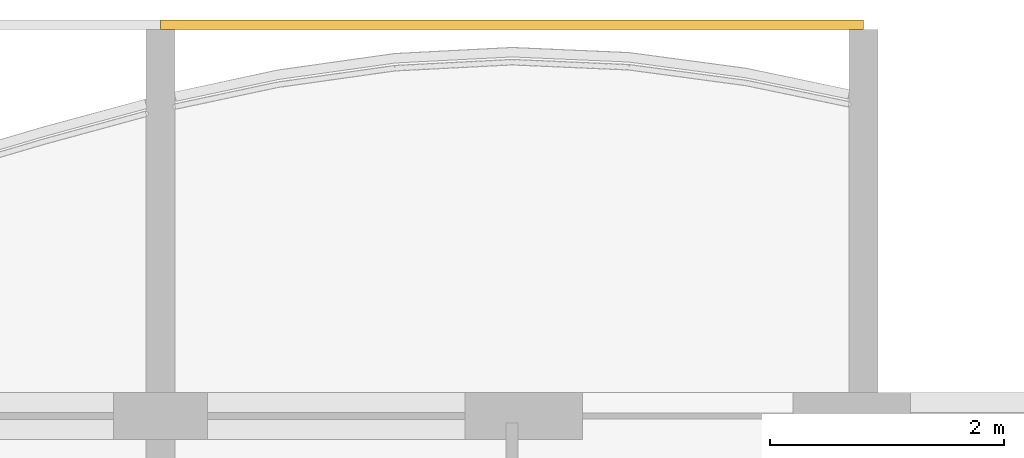
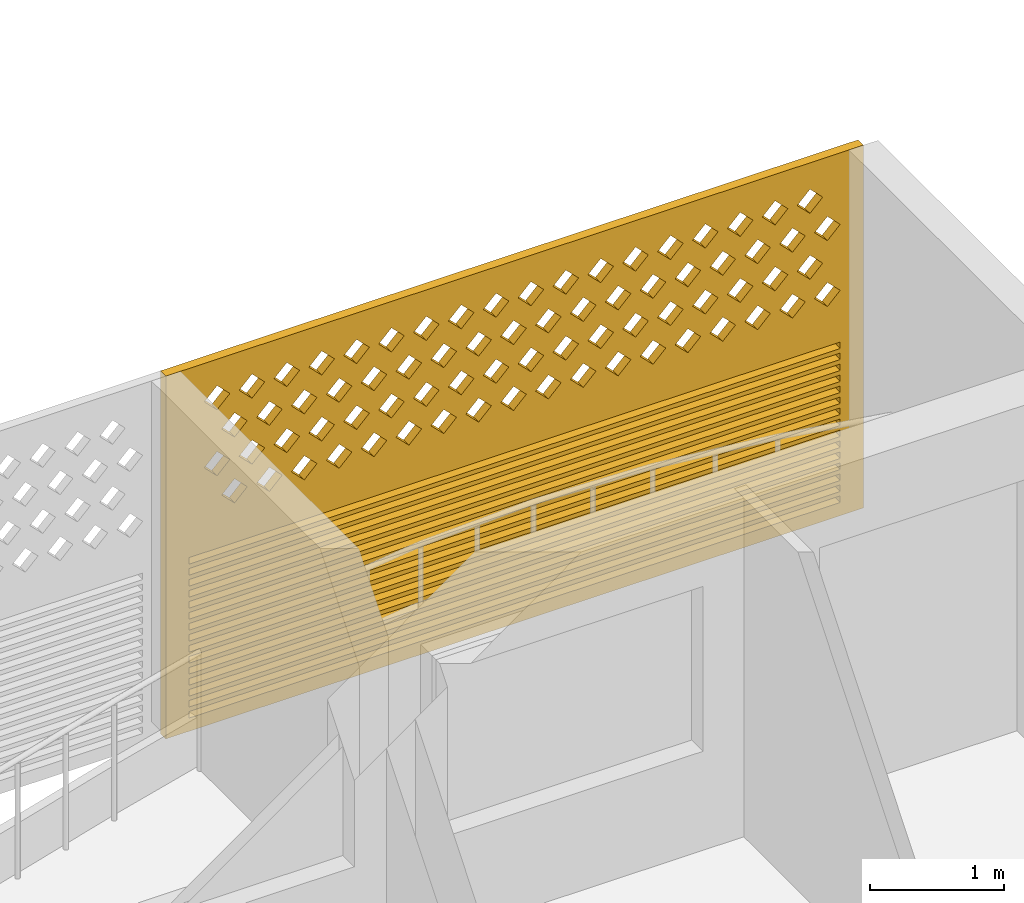
# One storey, part 18 of 28: 1 covering.
"""IFC4 building model written with IfcOpenShell, lengths in metres."""

import ifcopenshell
import ifcopenshell.guid

model = None  # the IFC model being written
_history = None  # IfcOwnerHistory: only IFC2X3 demands one
_inside = {}  # id of a spatial element -> (the spatial element, [elements in it])
_under = {}  # id of a project, library or spatial element -> (it, [spatial elements below it])
_declared = {}  # id of a project -> (the project, [libraries it declares])
_typed = {}  # id of a type object -> (the type object, [elements of that type])
_made_of = {}  # id of a material, layer set ... -> (it, [elements and type objects made of it])


def new_model(schema):
    """Start an empty IFC model of exactly this schema.

    Asked for "IFC4X3", IfcOpenShell would pick the latest addendum, in which some entities
    have other attributes; the version numbers below select the first issue.
    IFC2X3 requires an IfcOwnerHistory on every rooted entity: one is made here for all.
    """
    global model, _history
    if schema == "IFC4X3":
        model = ifcopenshell.file(schema_version=(4, 3, 0, 0))
    else:
        model = ifcopenshell.file(schema=schema)
    _inside.clear()
    _under.clear()
    _declared.clear()
    _typed.clear()
    _made_of.clear()
    _history = None
    if model.schema == "IFC2X3":
        org = make("IfcOrganization", Name="unknown")
        user = make(
            "IfcPersonAndOrganization",
            ThePerson=make("IfcPerson", FamilyName="unknown"),
            TheOrganization=org,
        )
        app = make(
            "IfcApplication",
            ApplicationDeveloper=org,
            Version="unknown",
            ApplicationFullName="unknown",
            ApplicationIdentifier="unknown",
        )
        _history = make(
            "IfcOwnerHistory",
            OwningUser=user,
            OwningApplication=app,
            ChangeAction="ADDED",
            CreationDate=0,
        )
    return model


def make(cls, **values):
    """One entity of the class cls with the attributes given. An attribute that is None is left unset."""
    return model.create_entity(
        cls, **{name: value for name, value in values.items() if value is not None}
    )


def rooted(cls, **values):
    """An entity with a GlobalId (a new one), such as an element, a storey or a relation."""
    return make(cls, GlobalId=ifcopenshell.guid.new(), OwnerHistory=_history, **values)


def si_unit(unit_type, name, prefix=None):
    """IfcSIUnit, for example si_unit("LENGTHUNIT", "METRE", prefix="MILLI")."""
    return make("IfcSIUnit", UnitType=unit_type, Prefix=prefix, Name=name)


def assignment(units):
    """IfcUnitAssignment: the units of a project."""
    return None if units is None else make("IfcUnitAssignment", Units=units)


def point(xyz):
    """IfcCartesianPoint."""
    return None if xyz is None else make("IfcCartesianPoint", Coordinates=xyz)


def direction(xyz):
    """IfcDirection."""
    return None if xyz is None else make("IfcDirection", DirectionRatios=xyz)


def frame(location, z_axis=None, x_axis=None):
    """IfcAxis2Placement3D, a coordinate frame: its origin and axes. An axis left out is left unset."""
    return make(
        "IfcAxis2Placement3D",
        Location=point(location),
        Axis=direction(z_axis),
        RefDirection=direction(x_axis),
    )


def origin():
    """The frame at (0, 0, 0) with its axes left unset."""
    return frame((0.0, 0.0, 0.0))


def place(relative_to, where):
    """IfcLocalPlacement: puts the frame where relative to a parent placement (None: the world)."""
    return make(
        "IfcLocalPlacement", PlacementRelTo=relative_to, RelativePlacement=where
    )


def context(
    kind, dimensions, precision=None, world=None, true_north=None, identifier=None
):
    """IfcGeometricRepresentationContext, for example the 3D "Model" context."""
    return make(
        "IfcGeometricRepresentationContext",
        ContextIdentifier=identifier,
        ContextType=kind,
        CoordinateSpaceDimension=dimensions,
        Precision=precision,
        WorldCoordinateSystem=world,
        TrueNorth=true_north,
    )


def subcontext(parent, identifier, kind, view, scale=None):
    """IfcGeometricRepresentationSubContext, for example "Body" below "Model"."""
    return make(
        "IfcGeometricRepresentationSubContext",
        ContextIdentifier=identifier,
        ContextType=kind,
        ParentContext=parent,
        TargetScale=scale,
        TargetView=view,
    )


def project(units=None, contexts=None):
    """IfcProject with its units and contexts."""
    return rooted(
        "IfcProject",
        Name="project",
        RepresentationContexts=contexts,
        UnitsInContext=assignment(units),
    )


def spatial(cls, under=None, at=None, **own):
    """A site, building, storey or space (cls), placed at a placement, below another one or the project."""
    s = rooted(cls, ObjectPlacement=at, **own)
    if under is not None:
        _under.setdefault(under.id(), (under, []))[1].append(s)
    return s


def polyline(points):
    """IfcPolyline through the points."""
    return make("IfcPolyline", Points=[point(p) for p in points])


def outline(outer, holes=None, kind="AREA"):
    """IfcArbitraryClosedProfileDef: a profile drawn as a closed curve; with holes, ...WithVoids."""
    if holes is None:
        return make("IfcArbitraryClosedProfileDef", ProfileType=kind, OuterCurve=outer)
    return make(
        "IfcArbitraryProfileDefWithVoids",
        ProfileType=kind,
        OuterCurve=outer,
        InnerCurves=holes,
    )


def extrude(swept, where, along, depth):
    """IfcExtrudedAreaSolid: the profile swept, set in the frame where, extruded along a direction by depth."""
    return make(
        "IfcExtrudedAreaSolid",
        SweptArea=swept,
        Position=where,
        ExtrudedDirection=direction(along),
        Depth=depth,
    )


def shape(context_of_items, identifier, shape_type, items):
    """IfcShapeRepresentation: the items that make up one representation, for example the "Body"."""
    return make(
        "IfcShapeRepresentation",
        ContextOfItems=context_of_items,
        RepresentationIdentifier=identifier,
        RepresentationType=shape_type,
        Items=items,
    )


def source(mapping_origin, context_of_items, identifier, shape_type, items):
    """IfcRepresentationMap: a shape defined once, which mapped items show again and again."""
    return make(
        "IfcRepresentationMap",
        MappingOrigin=mapping_origin,
        MappedRepresentation=shape(context_of_items, identifier, shape_type, items),
    )


def transform(
    local_origin,
    x_axis=None,
    y_axis=None,
    z_axis=None,
    scale=None,
    scale2=None,
    scale3=None,
    uniform=True,
):
    """IfcCartesianTransformationOperator3D, or its non-uniform kind. x_axis, y_axis, z_axis: its Axis1, 2, 3."""
    if uniform:
        return make(
            "IfcCartesianTransformationOperator3D",
            Axis1=direction(x_axis),
            Axis2=direction(y_axis),
            LocalOrigin=point(local_origin),
            Scale=scale,
            Axis3=direction(z_axis),
        )
    return make(
        "IfcCartesianTransformationOperator3DnonUniform",
        Axis1=direction(x_axis),
        Axis2=direction(y_axis),
        LocalOrigin=point(local_origin),
        Scale=scale,
        Axis3=direction(z_axis),
        Scale2=scale2,
        Scale3=scale3,
    )


def mapped(mapping_source, mapping_target):
    """IfcMappedItem: shows the shape of a source again, moved by a transform."""
    return make(
        "IfcMappedItem", MappingSource=mapping_source, MappingTarget=mapping_target
    )


def material(Name=None, Category=None):
    """IfcMaterial."""
    return make("IfcMaterial", Name=Name, Category=Category)


def material_profile(
    of_material, cross_section, Name=None, Category=None, Priority=None
):
    """IfcMaterialProfile: a cross section and its material."""
    return make(
        "IfcMaterialProfile",
        Name=Name,
        Material=of_material,
        Profile=cross_section,
        Priority=Priority,
        Category=Category,
    )


def profile_set(profiles, Name=None, composite=None):
    """IfcMaterialProfileSet."""
    return make(
        "IfcMaterialProfileSet",
        Name=Name,
        MaterialProfiles=profiles,
        CompositeProfile=composite,
    )


def made_of(thing, what):
    """Note that an element or type object is made of a material, layer set ...; save() writes the relation."""
    if what is not None:
        _made_of.setdefault(what.id(), (what, []))[1].append(thing)
    return thing


def type_object(cls, material=None, **own):
    """A type object (cls), such as IfcWallType, which elements share."""
    return made_of(rooted(cls, **own), material)


def element(
    cls,
    number,
    at=None,
    inside=None,
    cuts=None,
    type_object=None,
    material=None,
    context=None,
    identifier="Body",
    shape_type=None,
    held_by="IfcProductDefinitionShape",
    body=None,
    shapes=None,
    **own,
):
    """One element of the class cls, such as IfcWall. Its Tag is "e" and its number.

    at: its placement. inside: the storey or other place that contains it. cuts: it is an
    opening in that element (IfcRelVoidsElement). A single representation is given by context,
    identifier, shape_type and body (its items); several are given by shapes. held_by: the class
    of the entity that holds the representations. save() writes the other relations.
    """
    e = rooted(cls, Tag="e%d" % number, ObjectPlacement=at, **own)
    if body is not None:
        shapes = [shape(context, identifier, shape_type, body)]
    if shapes is not None:
        e.Representation = make(held_by, Representations=shapes)
    if inside is not None:
        _inside.setdefault(inside.id(), (inside, []))[1].append(e)
    if cuts is not None:
        rooted(
            "IfcRelVoidsElement", RelatingBuildingElement=cuts, RelatedOpeningElement=e
        )
    if type_object is not None:
        _typed.setdefault(type_object.id(), (type_object, []))[1].append(e)
    return made_of(e, material)


def aggregate(whole, parts):
    """IfcRelAggregates: a whole, such as a stair, and the parts it consists of."""
    return rooted("IfcRelAggregates", RelatingObject=whole, RelatedObjects=parts)


def save(model, path):
    """Write the relations noted so far, then the file.

    IfcRelAggregates (storeys below a building ...), IfcRelContainedInSpatialStructure (elements
    in a storey), IfcRelDefinesByType, IfcRelAssociatesMaterial and IfcRelDeclares: one each for
    every whole, place, type object, material and project.
    """
    for whole, parts in _under.values():
        aggregate(whole, parts)
    for where, things in _inside.values():
        rooted(
            "IfcRelContainedInSpatialStructure",
            RelatedElements=things,
            RelatingStructure=where,
        )
    for kind, things in _typed.values():
        rooted("IfcRelDefinesByType", RelatedObjects=things, RelatingType=kind)
    for what, things in _made_of.values():
        rooted("IfcRelAssociatesMaterial", RelatedObjects=things, RelatingMaterial=what)
    for by, libraries in _declared.values():
        rooted("IfcRelDeclares", RelatingContext=by, RelatedDefinitions=libraries)
    model.write(path)


model = new_model("IFC4")

# Units and contexts
model_context = context("Model", 3, precision=1e-05, world=origin(), true_north=direction((0.0, 1.0)))
body_context = subcontext(model_context, "Body", "Model", "MODEL_VIEW")
ifc_project = project(units=[si_unit("LENGTHUNIT", "METRE"), si_unit("AREAUNIT", "SQUARE_METRE"), si_unit("VOLUMEUNIT", "CUBIC_METRE"), si_unit("PLANEANGLEUNIT", "RADIAN"), si_unit("MASSUNIT", "GRAM", prefix="KILO")], contexts=[model_context])

# Site, building, storey
site_placement = place(None, origin())
site = spatial("IfcSite", under=ifc_project, at=site_placement, CompositionType="ELEMENT")
building_placement = place(site_placement, origin())
building = spatial("IfcBuilding", under=site, at=building_placement, Name="Poui Terraces", CompositionType="ELEMENT")
storey_placement = place(building_placement, frame((0.0, 0.0, 185.10009765625)))
storey = spatial("IfcBuildingStorey", under=building, at=storey_placement, Name="L51", CompositionType="ELEMENT", Elevation=185.10009765625)

# Covering
ifc_material = material(Name="Terracotta screen", Category="masonry")
ifc_material_profile = material_profile(ifc_material, outline(polyline([(-3.0, -1.64990234375), (3.0, -1.64990234375), (3.0, 1.64990234375), (-3.0, 1.64990234375), (-3.0, -1.64990234375)]), holes=[polyline([(-2.800048828125, 0.39990234375), (-2.68994140625, 0.2900390625), (-2.580078125, 0.39990234375), (-2.68994140625, 0.510009765625), (-2.800048828125, 0.39990234375)]), polyline([(-2.5, 0.39990234375), (-2.389892578125, 0.2900390625), (-2.280029296875, 0.39990234375), (-2.389892578125, 0.510009765625), (-2.5, 0.39990234375)]), polyline([(-2.199951171875, 0.39990234375), (-2.090087890625, 0.2900390625), (-1.97998046875, 0.39990234375), (-2.090087890625, 0.510009765625), (-2.199951171875, 0.39990234375)]), polyline([(-1.89990234375, 0.39990234375), (-1.7900390625, 0.2900390625), (-1.679931640625, 0.39990234375), (-1.7900390625, 0.510009765625), (-1.89990234375, 0.39990234375)]), polyline([(-1.60009765625, 0.39990234375), (-1.489990234375, 0.2900390625), (-1.3798828125, 0.39990234375), (-1.489990234375, 0.510009765625), (-1.60009765625, 0.39990234375)]), polyline([(-1.300048828125, 0.39990234375), (-1.18994140625, 0.2900390625), (-1.080078125, 0.39990234375), (-1.18994140625, 0.510009765625), (-1.300048828125, 0.39990234375)]), polyline([(-1.0, 0.39990234375), (-0.889892578125, 0.2900390625), (-0.780029296875, 0.39990234375), (-0.889892578125, 0.510009765625), (-1.0, 0.39990234375)]), polyline([(-0.699951171875, 0.39990234375), (-0.590087890625, 0.2900390625), (-0.47998046875, 0.39990234375), (-0.590087890625, 0.510009765625), (-0.699951171875, 0.39990234375)]), polyline([(-0.39990234375, 0.39990234375), (-0.2900390625, 0.2900390625), (-0.179931640625, 0.39990234375), (-0.2900390625, 0.510009765625), (-0.39990234375, 0.39990234375)]), polyline([(-0.10009765625, 0.39990234375), (0.010009765625, 0.2900390625), (0.1201171875, 0.39990234375), (0.010009765625, 0.510009765625), (-0.10009765625, 0.39990234375)]), polyline([(0.199951171875, 0.39990234375), (0.31005859375, 0.2900390625), (0.419921875, 0.39990234375), (0.31005859375, 0.510009765625), (0.199951171875, 0.39990234375)]), polyline([(0.5, 0.39990234375), (0.610107421875, 0.2900390625), (0.719970703125, 0.39990234375), (0.610107421875, 0.510009765625), (0.5, 0.39990234375)]), polyline([(0.800048828125, 0.39990234375), (0.909912109375, 0.2900390625), (1.02001953125, 0.39990234375), (0.909912109375, 0.510009765625), (0.800048828125, 0.39990234375)]), polyline([(1.10009765625, 0.39990234375), (1.2099609375, 0.2900390625), (1.320068359375, 0.39990234375), (1.2099609375, 0.510009765625), (1.10009765625, 0.39990234375)]), polyline([(1.39990234375, 0.39990234375), (1.510009765625, 0.2900390625), (1.6201171875, 0.39990234375), (1.510009765625, 0.510009765625), (1.39990234375, 0.39990234375)]), polyline([(1.699951171875, 0.39990234375), (1.81005859375, 0.2900390625), (1.919921875, 0.39990234375), (1.81005859375, 0.510009765625), (1.699951171875, 0.39990234375)]), polyline([(2.0, 0.39990234375), (2.110107421875, 0.2900390625), (2.219970703125, 0.39990234375), (2.110107421875, 0.510009765625), (2.0, 0.39990234375)]), polyline([(2.300048828125, 0.39990234375), (2.409912109375, 0.2900390625), (2.52001953125, 0.39990234375), (2.409912109375, 0.510009765625), (2.300048828125, 0.39990234375)]), polyline([(-2.64990234375, 0.699951171875), (-2.5400390625, 0.590087890625), (-2.429931640625, 0.699951171875), (-2.5400390625, 0.81005859375), (-2.64990234375, 0.699951171875)]), polyline([(-2.35009765625, 0.699951171875), (-2.239990234375, 0.590087890625), (-2.1298828125, 0.699951171875), (-2.239990234375, 0.81005859375), (-2.35009765625, 0.699951171875)]), polyline([(-2.050048828125, 0.699951171875), (-1.93994140625, 0.590087890625), (-1.830078125, 0.699951171875), (-1.93994140625, 0.81005859375), (-2.050048828125, 0.699951171875)]), polyline([(-1.75, 0.699951171875), (-1.639892578125, 0.590087890625), (-1.530029296875, 0.699951171875), (-1.639892578125, 0.81005859375), (-1.75, 0.699951171875)]), polyline([(-1.449951171875, 0.699951171875), (-1.340087890625, 0.590087890625), (-1.22998046875, 0.699951171875), (-1.340087890625, 0.81005859375), (-1.449951171875, 0.699951171875)]), polyline([(-1.14990234375, 0.699951171875), (-1.0400390625, 0.590087890625), (-0.929931640625, 0.699951171875), (-1.0400390625, 0.81005859375), (-1.14990234375, 0.699951171875)]), polyline([(-0.85009765625, 0.699951171875), (-0.739990234375, 0.590087890625), (-0.6298828125, 0.699951171875), (-0.739990234375, 0.81005859375), (-0.85009765625, 0.699951171875)]), polyline([(-0.550048828125, 0.699951171875), (-0.43994140625, 0.590087890625), (-0.330078125, 0.699951171875), (-0.43994140625, 0.81005859375), (-0.550048828125, 0.699951171875)]), polyline([(-0.25, 0.699951171875), (-0.139892578125, 0.590087890625), (-0.030029296875, 0.699951171875), (-0.139892578125, 0.81005859375), (-0.25, 0.699951171875)]), polyline([(0.050048828125, 0.699951171875), (0.159912109375, 0.590087890625), (0.27001953125, 0.699951171875), (0.159912109375, 0.81005859375), (0.050048828125, 0.699951171875)]), polyline([(0.35009765625, 0.699951171875), (0.4599609375, 0.590087890625), (0.570068359375, 0.699951171875), (0.4599609375, 0.81005859375), (0.35009765625, 0.699951171875)]), polyline([(0.64990234375, 0.699951171875), (0.760009765625, 0.590087890625), (0.8701171875, 0.699951171875), (0.760009765625, 0.81005859375), (0.64990234375, 0.699951171875)]), polyline([(0.949951171875, 0.699951171875), (1.06005859375, 0.590087890625), (1.169921875, 0.699951171875), (1.06005859375, 0.81005859375), (0.949951171875, 0.699951171875)]), polyline([(1.25, 0.699951171875), (1.360107421875, 0.590087890625), (1.469970703125, 0.699951171875), (1.360107421875, 0.81005859375), (1.25, 0.699951171875)]), polyline([(1.550048828125, 0.699951171875), (1.659912109375, 0.590087890625), (1.77001953125, 0.699951171875), (1.659912109375, 0.81005859375), (1.550048828125, 0.699951171875)]), polyline([(1.85009765625, 0.699951171875), (1.9599609375, 0.590087890625), (2.070068359375, 0.699951171875), (1.9599609375, 0.81005859375), (1.85009765625, 0.699951171875)]), polyline([(2.14990234375, 0.699951171875), (2.260009765625, 0.590087890625), (2.3701171875, 0.699951171875), (2.260009765625, 0.81005859375), (2.14990234375, 0.699951171875)]), polyline([(2.449951171875, 0.699951171875), (2.56005859375, 0.590087890625), (2.669921875, 0.699951171875), (2.56005859375, 0.81005859375), (2.449951171875, 0.699951171875)]), polyline([(-2.800048828125, 1.0), (-2.68994140625, 0.889892578125), (-2.580078125, 1.0), (-2.68994140625, 1.110107421875), (-2.800048828125, 1.0)]), polyline([(-2.5, 1.0), (-2.389892578125, 0.889892578125), (-2.280029296875, 1.0), (-2.389892578125, 1.110107421875), (-2.5, 1.0)]), polyline([(-2.199951171875, 1.0), (-2.090087890625, 0.889892578125), (-1.97998046875, 1.0), (-2.090087890625, 1.110107421875), (-2.199951171875, 1.0)]), polyline([(-1.89990234375, 1.0), (-1.7900390625, 0.889892578125), (-1.679931640625, 1.0), (-1.7900390625, 1.110107421875), (-1.89990234375, 1.0)]), polyline([(-1.60009765625, 1.0), (-1.489990234375, 0.889892578125), (-1.3798828125, 1.0), (-1.489990234375, 1.110107421875), (-1.60009765625, 1.0)]), polyline([(-1.300048828125, 1.0), (-1.18994140625, 0.889892578125), (-1.080078125, 1.0), (-1.18994140625, 1.110107421875), (-1.300048828125, 1.0)]), polyline([(-1.0, 1.0), (-0.889892578125, 0.889892578125), (-0.780029296875, 1.0), (-0.889892578125, 1.110107421875), (-1.0, 1.0)]), polyline([(-0.699951171875, 1.0), (-0.590087890625, 0.889892578125), (-0.47998046875, 1.0), (-0.590087890625, 1.110107421875), (-0.699951171875, 1.0)]), polyline([(-0.39990234375, 1.0), (-0.2900390625, 0.889892578125), (-0.179931640625, 1.0), (-0.2900390625, 1.110107421875), (-0.39990234375, 1.0)]), polyline([(-0.10009765625, 1.0), (0.010009765625, 0.889892578125), (0.1201171875, 1.0), (0.010009765625, 1.110107421875), (-0.10009765625, 1.0)]), polyline([(0.199951171875, 1.0), (0.31005859375, 0.889892578125), (0.419921875, 1.0), (0.31005859375, 1.110107421875), (0.199951171875, 1.0)]), polyline([(0.5, 1.0), (0.610107421875, 0.889892578125), (0.719970703125, 1.0), (0.610107421875, 1.110107421875), (0.5, 1.0)]), polyline([(0.800048828125, 1.0), (0.909912109375, 0.889892578125), (1.02001953125, 1.0), (0.909912109375, 1.110107421875), (0.800048828125, 1.0)]), polyline([(1.10009765625, 1.0), (1.2099609375, 0.889892578125), (1.320068359375, 1.0), (1.2099609375, 1.110107421875), (1.10009765625, 1.0)]), polyline([(1.39990234375, 1.0), (1.510009765625, 0.889892578125), (1.6201171875, 1.0), (1.510009765625, 1.110107421875), (1.39990234375, 1.0)]), polyline([(1.699951171875, 1.0), (1.81005859375, 0.889892578125), (1.919921875, 1.0), (1.81005859375, 1.110107421875), (1.699951171875, 1.0)]), polyline([(2.0, 1.0), (2.110107421875, 0.889892578125), (2.219970703125, 1.0), (2.110107421875, 1.110107421875), (2.0, 1.0)]), polyline([(2.300048828125, 1.0), (2.409912109375, 0.889892578125), (2.52001953125, 1.0), (2.409912109375, 1.110107421875), (2.300048828125, 1.0)]), polyline([(-2.64990234375, 1.300048828125), (-2.5400390625, 1.18994140625), (-2.429931640625, 1.300048828125), (-2.5400390625, 1.409912109375), (-2.64990234375, 1.300048828125)]), polyline([(-2.35009765625, 1.300048828125), (-2.239990234375, 1.18994140625), (-2.1298828125, 1.300048828125), (-2.239990234375, 1.409912109375), (-2.35009765625, 1.300048828125)]), polyline([(-2.050048828125, 1.300048828125), (-1.93994140625, 1.18994140625), (-1.830078125, 1.300048828125), (-1.93994140625, 1.409912109375), (-2.050048828125, 1.300048828125)]), polyline([(-1.75, 1.300048828125), (-1.639892578125, 1.18994140625), (-1.530029296875, 1.300048828125), (-1.639892578125, 1.409912109375), (-1.75, 1.300048828125)]), polyline([(-1.449951171875, 1.300048828125), (-1.340087890625, 1.18994140625), (-1.22998046875, 1.300048828125), (-1.340087890625, 1.409912109375), (-1.449951171875, 1.300048828125)]), polyline([(-1.14990234375, 1.300048828125), (-1.0400390625, 1.18994140625), (-0.929931640625, 1.300048828125), (-1.0400390625, 1.409912109375), (-1.14990234375, 1.300048828125)]), polyline([(-0.85009765625, 1.300048828125), (-0.739990234375, 1.18994140625), (-0.6298828125, 1.300048828125), (-0.739990234375, 1.409912109375), (-0.85009765625, 1.300048828125)]), polyline([(-0.550048828125, 1.300048828125), (-0.43994140625, 1.18994140625), (-0.330078125, 1.300048828125), (-0.43994140625, 1.409912109375), (-0.550048828125, 1.300048828125)]), polyline([(-0.25, 1.300048828125), (-0.139892578125, 1.18994140625), (-0.030029296875, 1.300048828125), (-0.139892578125, 1.409912109375), (-0.25, 1.300048828125)]), polyline([(0.050048828125, 1.300048828125), (0.159912109375, 1.18994140625), (0.27001953125, 1.300048828125), (0.159912109375, 1.409912109375), (0.050048828125, 1.300048828125)]), polyline([(0.35009765625, 1.300048828125), (0.4599609375, 1.18994140625), (0.570068359375, 1.300048828125), (0.4599609375, 1.409912109375), (0.35009765625, 1.300048828125)]), polyline([(0.64990234375, 1.300048828125), (0.760009765625, 1.18994140625), (0.8701171875, 1.300048828125), (0.760009765625, 1.409912109375), (0.64990234375, 1.300048828125)]), polyline([(0.949951171875, 1.300048828125), (1.06005859375, 1.18994140625), (1.169921875, 1.300048828125), (1.06005859375, 1.409912109375), (0.949951171875, 1.300048828125)]), polyline([(1.25, 1.300048828125), (1.360107421875, 1.18994140625), (1.469970703125, 1.300048828125), (1.360107421875, 1.409912109375), (1.25, 1.300048828125)]), polyline([(1.550048828125, 1.300048828125), (1.659912109375, 1.18994140625), (1.77001953125, 1.300048828125), (1.659912109375, 1.409912109375), (1.550048828125, 1.300048828125)]), polyline([(1.85009765625, 1.300048828125), (1.9599609375, 1.18994140625), (2.070068359375, 1.300048828125), (1.9599609375, 1.409912109375), (1.85009765625, 1.300048828125)]), polyline([(2.14990234375, 1.300048828125), (2.260009765625, 1.18994140625), (2.3701171875, 1.300048828125), (2.260009765625, 1.409912109375), (2.14990234375, 1.300048828125)]), polyline([(2.449951171875, 1.300048828125), (2.56005859375, 1.18994140625), (2.669921875, 1.300048828125), (2.56005859375, 1.409912109375), (2.449951171875, 1.300048828125)]), polyline([(-2.800048828125, -1.530029296875), (2.800048828125, -1.530029296875), (2.800048828125, -1.469970703125), (-2.800048828125, -1.469970703125), (-2.800048828125, -1.530029296875)]), polyline([(-2.800048828125, -1.429931640625), (2.800048828125, -1.429931640625), (2.800048828125, -1.3701171875), (-2.800048828125, -1.3701171875), (-2.800048828125, -1.429931640625)]), polyline([(-2.800048828125, -1.330078125), (2.800048828125, -1.330078125), (2.800048828125, -1.27001953125), (-2.800048828125, -1.27001953125), (-2.800048828125, -1.330078125)]), polyline([(-2.800048828125, -1.22998046875), (2.800048828125, -1.22998046875), (2.800048828125, -1.169921875), (-2.800048828125, -1.169921875), (-2.800048828125, -1.22998046875)]), polyline([(-2.800048828125, -1.1298828125), (2.800048828125, -1.1298828125), (2.800048828125, -1.070068359375), (-2.800048828125, -1.070068359375), (-2.800048828125, -1.1298828125)]), polyline([(-2.800048828125, -1.030029296875), (2.800048828125, -1.030029296875), (2.800048828125, -0.969970703125), (-2.800048828125, -0.969970703125), (-2.800048828125, -1.030029296875)]), polyline([(-2.800048828125, -0.929931640625), (2.800048828125, -0.929931640625), (2.800048828125, -0.8701171875), (-2.800048828125, -0.8701171875), (-2.800048828125, -0.929931640625)]), polyline([(-2.800048828125, -0.830078125), (2.800048828125, -0.830078125), (2.800048828125, -0.77001953125), (-2.800048828125, -0.77001953125), (-2.800048828125, -0.830078125)]), polyline([(-2.800048828125, -0.72998046875), (2.800048828125, -0.72998046875), (2.800048828125, -0.669921875), (-2.800048828125, -0.669921875), (-2.800048828125, -0.72998046875)]), polyline([(-2.800048828125, -0.6298828125), (2.800048828125, -0.6298828125), (2.800048828125, -0.570068359375), (-2.800048828125, -0.570068359375), (-2.800048828125, -0.6298828125)]), polyline([(-2.800048828125, -0.530029296875), (2.800048828125, -0.530029296875), (2.800048828125, -0.469970703125), (-2.800048828125, -0.469970703125), (-2.800048828125, -0.530029296875)]), polyline([(-2.800048828125, -0.429931640625), (2.800048828125, -0.429931640625), (2.800048828125, -0.3701171875), (-2.800048828125, -0.3701171875), (-2.800048828125, -0.429931640625)]), polyline([(-2.800048828125, -0.330078125), (2.800048828125, -0.330078125), (2.800048828125, -0.27001953125), (-2.800048828125, -0.27001953125), (-2.800048828125, -0.330078125)]), polyline([(-2.800048828125, -0.22998046875), (2.800048828125, -0.22998046875), (2.800048828125, -0.169921875), (-2.800048828125, -0.169921875), (-2.800048828125, -0.22998046875)]), polyline([(-2.800048828125, -0.1298828125), (2.800048828125, -0.1298828125), (2.800048828125, -0.070068359375), (-2.800048828125, -0.070068359375), (-2.800048828125, -0.1298828125)])]), Name="TERRACOTTA SCREEN AND JALOUSIE LOUVRE 6000X3300")
ifc_profile_set = profile_set([ifc_material_profile], Name="Terracotta screen")
covering_type = type_object("IfcCoveringType", Name="TERRACOTTA SCREEN AND JALOUSIE LOUVRE 6000X3300", PredefinedType="CLADDING", material=ifc_profile_set)
shared_shape = source(origin(), body_context, "Body", "SweptSolid", [
    extrude(outline(polyline([(-3.0, -1.64990234375), (3.0, -1.64990234375), (3.0, 1.64990234375), (-3.0, 1.64990234375), (-3.0, -1.64990234375)]), holes=[polyline([(-2.800048828125, 0.39990234375), (-2.68994140625, 0.2900390625), (-2.580078125, 0.39990234375), (-2.68994140625, 0.510009765625), (-2.800048828125, 0.39990234375)]), polyline([(-2.5, 0.39990234375), (-2.389892578125, 0.2900390625), (-2.280029296875, 0.39990234375), (-2.389892578125, 0.510009765625), (-2.5, 0.39990234375)]), polyline([(-2.199951171875, 0.39990234375), (-2.090087890625, 0.2900390625), (-1.97998046875, 0.39990234375), (-2.090087890625, 0.510009765625), (-2.199951171875, 0.39990234375)]), polyline([(-1.89990234375, 0.39990234375), (-1.7900390625, 0.2900390625), (-1.679931640625, 0.39990234375), (-1.7900390625, 0.510009765625), (-1.89990234375, 0.39990234375)]), polyline([(-1.60009765625, 0.39990234375), (-1.489990234375, 0.2900390625), (-1.3798828125, 0.39990234375), (-1.489990234375, 0.510009765625), (-1.60009765625, 0.39990234375)]), polyline([(-1.300048828125, 0.39990234375), (-1.18994140625, 0.2900390625), (-1.080078125, 0.39990234375), (-1.18994140625, 0.510009765625), (-1.300048828125, 0.39990234375)]), polyline([(-1.0, 0.39990234375), (-0.889892578125, 0.2900390625), (-0.780029296875, 0.39990234375), (-0.889892578125, 0.510009765625), (-1.0, 0.39990234375)]), polyline([(-0.699951171875, 0.39990234375), (-0.590087890625, 0.2900390625), (-0.47998046875, 0.39990234375), (-0.590087890625, 0.510009765625), (-0.699951171875, 0.39990234375)]), polyline([(-0.39990234375, 0.39990234375), (-0.2900390625, 0.2900390625), (-0.179931640625, 0.39990234375), (-0.2900390625, 0.510009765625), (-0.39990234375, 0.39990234375)]), polyline([(-0.10009765625, 0.39990234375), (0.010009765625, 0.2900390625), (0.1201171875, 0.39990234375), (0.010009765625, 0.510009765625), (-0.10009765625, 0.39990234375)]), polyline([(0.199951171875, 0.39990234375), (0.31005859375, 0.2900390625), (0.419921875, 0.39990234375), (0.31005859375, 0.510009765625), (0.199951171875, 0.39990234375)]), polyline([(0.5, 0.39990234375), (0.610107421875, 0.2900390625), (0.719970703125, 0.39990234375), (0.610107421875, 0.510009765625), (0.5, 0.39990234375)]), polyline([(0.800048828125, 0.39990234375), (0.909912109375, 0.2900390625), (1.02001953125, 0.39990234375), (0.909912109375, 0.510009765625), (0.800048828125, 0.39990234375)]), polyline([(1.10009765625, 0.39990234375), (1.2099609375, 0.2900390625), (1.320068359375, 0.39990234375), (1.2099609375, 0.510009765625), (1.10009765625, 0.39990234375)]), polyline([(1.39990234375, 0.39990234375), (1.510009765625, 0.2900390625), (1.6201171875, 0.39990234375), (1.510009765625, 0.510009765625), (1.39990234375, 0.39990234375)]), polyline([(1.699951171875, 0.39990234375), (1.81005859375, 0.2900390625), (1.919921875, 0.39990234375), (1.81005859375, 0.510009765625), (1.699951171875, 0.39990234375)]), polyline([(2.0, 0.39990234375), (2.110107421875, 0.2900390625), (2.219970703125, 0.39990234375), (2.110107421875, 0.510009765625), (2.0, 0.39990234375)]), polyline([(2.300048828125, 0.39990234375), (2.409912109375, 0.2900390625), (2.52001953125, 0.39990234375), (2.409912109375, 0.510009765625), (2.300048828125, 0.39990234375)]), polyline([(-2.64990234375, 0.699951171875), (-2.5400390625, 0.590087890625), (-2.429931640625, 0.699951171875), (-2.5400390625, 0.81005859375), (-2.64990234375, 0.699951171875)]), polyline([(-2.35009765625, 0.699951171875), (-2.239990234375, 0.590087890625), (-2.1298828125, 0.699951171875), (-2.239990234375, 0.81005859375), (-2.35009765625, 0.699951171875)]), polyline([(-2.050048828125, 0.699951171875), (-1.93994140625, 0.590087890625), (-1.830078125, 0.699951171875), (-1.93994140625, 0.81005859375), (-2.050048828125, 0.699951171875)]), polyline([(-1.75, 0.699951171875), (-1.639892578125, 0.590087890625), (-1.530029296875, 0.699951171875), (-1.639892578125, 0.81005859375), (-1.75, 0.699951171875)]), polyline([(-1.449951171875, 0.699951171875), (-1.340087890625, 0.590087890625), (-1.22998046875, 0.699951171875), (-1.340087890625, 0.81005859375), (-1.449951171875, 0.699951171875)]), polyline([(-1.14990234375, 0.699951171875), (-1.0400390625, 0.590087890625), (-0.929931640625, 0.699951171875), (-1.0400390625, 0.81005859375), (-1.14990234375, 0.699951171875)]), polyline([(-0.85009765625, 0.699951171875), (-0.739990234375, 0.590087890625), (-0.6298828125, 0.699951171875), (-0.739990234375, 0.81005859375), (-0.85009765625, 0.699951171875)]), polyline([(-0.550048828125, 0.699951171875), (-0.43994140625, 0.590087890625), (-0.330078125, 0.699951171875), (-0.43994140625, 0.81005859375), (-0.550048828125, 0.699951171875)]), polyline([(-0.25, 0.699951171875), (-0.139892578125, 0.590087890625), (-0.030029296875, 0.699951171875), (-0.139892578125, 0.81005859375), (-0.25, 0.699951171875)]), polyline([(0.050048828125, 0.699951171875), (0.159912109375, 0.590087890625), (0.27001953125, 0.699951171875), (0.159912109375, 0.81005859375), (0.050048828125, 0.699951171875)]), polyline([(0.35009765625, 0.699951171875), (0.4599609375, 0.590087890625), (0.570068359375, 0.699951171875), (0.4599609375, 0.81005859375), (0.35009765625, 0.699951171875)]), polyline([(0.64990234375, 0.699951171875), (0.760009765625, 0.590087890625), (0.8701171875, 0.699951171875), (0.760009765625, 0.81005859375), (0.64990234375, 0.699951171875)]), polyline([(0.949951171875, 0.699951171875), (1.06005859375, 0.590087890625), (1.169921875, 0.699951171875), (1.06005859375, 0.81005859375), (0.949951171875, 0.699951171875)]), polyline([(1.25, 0.699951171875), (1.360107421875, 0.590087890625), (1.469970703125, 0.699951171875), (1.360107421875, 0.81005859375), (1.25, 0.699951171875)]), polyline([(1.550048828125, 0.699951171875), (1.659912109375, 0.590087890625), (1.77001953125, 0.699951171875), (1.659912109375, 0.81005859375), (1.550048828125, 0.699951171875)]), polyline([(1.85009765625, 0.699951171875), (1.9599609375, 0.590087890625), (2.070068359375, 0.699951171875), (1.9599609375, 0.81005859375), (1.85009765625, 0.699951171875)]), polyline([(2.14990234375, 0.699951171875), (2.260009765625, 0.590087890625), (2.3701171875, 0.699951171875), (2.260009765625, 0.81005859375), (2.14990234375, 0.699951171875)]), polyline([(2.449951171875, 0.699951171875), (2.56005859375, 0.590087890625), (2.669921875, 0.699951171875), (2.56005859375, 0.81005859375), (2.449951171875, 0.699951171875)]), polyline([(-2.800048828125, 1.0), (-2.68994140625, 0.889892578125), (-2.580078125, 1.0), (-2.68994140625, 1.110107421875), (-2.800048828125, 1.0)]), polyline([(-2.5, 1.0), (-2.389892578125, 0.889892578125), (-2.280029296875, 1.0), (-2.389892578125, 1.110107421875), (-2.5, 1.0)]), polyline([(-2.199951171875, 1.0), (-2.090087890625, 0.889892578125), (-1.97998046875, 1.0), (-2.090087890625, 1.110107421875), (-2.199951171875, 1.0)]), polyline([(-1.89990234375, 1.0), (-1.7900390625, 0.889892578125), (-1.679931640625, 1.0), (-1.7900390625, 1.110107421875), (-1.89990234375, 1.0)]), polyline([(-1.60009765625, 1.0), (-1.489990234375, 0.889892578125), (-1.3798828125, 1.0), (-1.489990234375, 1.110107421875), (-1.60009765625, 1.0)]), polyline([(-1.300048828125, 1.0), (-1.18994140625, 0.889892578125), (-1.080078125, 1.0), (-1.18994140625, 1.110107421875), (-1.300048828125, 1.0)]), polyline([(-1.0, 1.0), (-0.889892578125, 0.889892578125), (-0.780029296875, 1.0), (-0.889892578125, 1.110107421875), (-1.0, 1.0)]), polyline([(-0.699951171875, 1.0), (-0.590087890625, 0.889892578125), (-0.47998046875, 1.0), (-0.590087890625, 1.110107421875), (-0.699951171875, 1.0)]), polyline([(-0.39990234375, 1.0), (-0.2900390625, 0.889892578125), (-0.179931640625, 1.0), (-0.2900390625, 1.110107421875), (-0.39990234375, 1.0)]), polyline([(-0.10009765625, 1.0), (0.010009765625, 0.889892578125), (0.1201171875, 1.0), (0.010009765625, 1.110107421875), (-0.10009765625, 1.0)]), polyline([(0.199951171875, 1.0), (0.31005859375, 0.889892578125), (0.419921875, 1.0), (0.31005859375, 1.110107421875), (0.199951171875, 1.0)]), polyline([(0.5, 1.0), (0.610107421875, 0.889892578125), (0.719970703125, 1.0), (0.610107421875, 1.110107421875), (0.5, 1.0)]), polyline([(0.800048828125, 1.0), (0.909912109375, 0.889892578125), (1.02001953125, 1.0), (0.909912109375, 1.110107421875), (0.800048828125, 1.0)]), polyline([(1.10009765625, 1.0), (1.2099609375, 0.889892578125), (1.320068359375, 1.0), (1.2099609375, 1.110107421875), (1.10009765625, 1.0)]), polyline([(1.39990234375, 1.0), (1.510009765625, 0.889892578125), (1.6201171875, 1.0), (1.510009765625, 1.110107421875), (1.39990234375, 1.0)]), polyline([(1.699951171875, 1.0), (1.81005859375, 0.889892578125), (1.919921875, 1.0), (1.81005859375, 1.110107421875), (1.699951171875, 1.0)]), polyline([(2.0, 1.0), (2.110107421875, 0.889892578125), (2.219970703125, 1.0), (2.110107421875, 1.110107421875), (2.0, 1.0)]), polyline([(2.300048828125, 1.0), (2.409912109375, 0.889892578125), (2.52001953125, 1.0), (2.409912109375, 1.110107421875), (2.300048828125, 1.0)]), polyline([(-2.64990234375, 1.300048828125), (-2.5400390625, 1.18994140625), (-2.429931640625, 1.300048828125), (-2.5400390625, 1.409912109375), (-2.64990234375, 1.300048828125)]), polyline([(-2.35009765625, 1.300048828125), (-2.239990234375, 1.18994140625), (-2.1298828125, 1.300048828125), (-2.239990234375, 1.409912109375), (-2.35009765625, 1.300048828125)]), polyline([(-2.050048828125, 1.300048828125), (-1.93994140625, 1.18994140625), (-1.830078125, 1.300048828125), (-1.93994140625, 1.409912109375), (-2.050048828125, 1.300048828125)]), polyline([(-1.75, 1.300048828125), (-1.639892578125, 1.18994140625), (-1.530029296875, 1.300048828125), (-1.639892578125, 1.409912109375), (-1.75, 1.300048828125)]), polyline([(-1.449951171875, 1.300048828125), (-1.340087890625, 1.18994140625), (-1.22998046875, 1.300048828125), (-1.340087890625, 1.409912109375), (-1.449951171875, 1.300048828125)]), polyline([(-1.14990234375, 1.300048828125), (-1.0400390625, 1.18994140625), (-0.929931640625, 1.300048828125), (-1.0400390625, 1.409912109375), (-1.14990234375, 1.300048828125)]), polyline([(-0.85009765625, 1.300048828125), (-0.739990234375, 1.18994140625), (-0.6298828125, 1.300048828125), (-0.739990234375, 1.409912109375), (-0.85009765625, 1.300048828125)]), polyline([(-0.550048828125, 1.300048828125), (-0.43994140625, 1.18994140625), (-0.330078125, 1.300048828125), (-0.43994140625, 1.409912109375), (-0.550048828125, 1.300048828125)]), polyline([(-0.25, 1.300048828125), (-0.139892578125, 1.18994140625), (-0.030029296875, 1.300048828125), (-0.139892578125, 1.409912109375), (-0.25, 1.300048828125)]), polyline([(0.050048828125, 1.300048828125), (0.159912109375, 1.18994140625), (0.27001953125, 1.300048828125), (0.159912109375, 1.409912109375), (0.050048828125, 1.300048828125)]), polyline([(0.35009765625, 1.300048828125), (0.4599609375, 1.18994140625), (0.570068359375, 1.300048828125), (0.4599609375, 1.409912109375), (0.35009765625, 1.300048828125)]), polyline([(0.64990234375, 1.300048828125), (0.760009765625, 1.18994140625), (0.8701171875, 1.300048828125), (0.760009765625, 1.409912109375), (0.64990234375, 1.300048828125)]), polyline([(0.949951171875, 1.300048828125), (1.06005859375, 1.18994140625), (1.169921875, 1.300048828125), (1.06005859375, 1.409912109375), (0.949951171875, 1.300048828125)]), polyline([(1.25, 1.300048828125), (1.360107421875, 1.18994140625), (1.469970703125, 1.300048828125), (1.360107421875, 1.409912109375), (1.25, 1.300048828125)]), polyline([(1.550048828125, 1.300048828125), (1.659912109375, 1.18994140625), (1.77001953125, 1.300048828125), (1.659912109375, 1.409912109375), (1.550048828125, 1.300048828125)]), polyline([(1.85009765625, 1.300048828125), (1.9599609375, 1.18994140625), (2.070068359375, 1.300048828125), (1.9599609375, 1.409912109375), (1.85009765625, 1.300048828125)]), polyline([(2.14990234375, 1.300048828125), (2.260009765625, 1.18994140625), (2.3701171875, 1.300048828125), (2.260009765625, 1.409912109375), (2.14990234375, 1.300048828125)]), polyline([(2.449951171875, 1.300048828125), (2.56005859375, 1.18994140625), (2.669921875, 1.300048828125), (2.56005859375, 1.409912109375), (2.449951171875, 1.300048828125)]), polyline([(-2.800048828125, -1.530029296875), (2.800048828125, -1.530029296875), (2.800048828125, -1.469970703125), (-2.800048828125, -1.469970703125), (-2.800048828125, -1.530029296875)]), polyline([(-2.800048828125, -1.429931640625), (2.800048828125, -1.429931640625), (2.800048828125, -1.3701171875), (-2.800048828125, -1.3701171875), (-2.800048828125, -1.429931640625)]), polyline([(-2.800048828125, -1.330078125), (2.800048828125, -1.330078125), (2.800048828125, -1.27001953125), (-2.800048828125, -1.27001953125), (-2.800048828125, -1.330078125)]), polyline([(-2.800048828125, -1.22998046875), (2.800048828125, -1.22998046875), (2.800048828125, -1.169921875), (-2.800048828125, -1.169921875), (-2.800048828125, -1.22998046875)]), polyline([(-2.800048828125, -1.1298828125), (2.800048828125, -1.1298828125), (2.800048828125, -1.070068359375), (-2.800048828125, -1.070068359375), (-2.800048828125, -1.1298828125)]), polyline([(-2.800048828125, -1.030029296875), (2.800048828125, -1.030029296875), (2.800048828125, -0.969970703125), (-2.800048828125, -0.969970703125), (-2.800048828125, -1.030029296875)]), polyline([(-2.800048828125, -0.929931640625), (2.800048828125, -0.929931640625), (2.800048828125, -0.8701171875), (-2.800048828125, -0.8701171875), (-2.800048828125, -0.929931640625)]), polyline([(-2.800048828125, -0.830078125), (2.800048828125, -0.830078125), (2.800048828125, -0.77001953125), (-2.800048828125, -0.77001953125), (-2.800048828125, -0.830078125)]), polyline([(-2.800048828125, -0.72998046875), (2.800048828125, -0.72998046875), (2.800048828125, -0.669921875), (-2.800048828125, -0.669921875), (-2.800048828125, -0.72998046875)]), polyline([(-2.800048828125, -0.6298828125), (2.800048828125, -0.6298828125), (2.800048828125, -0.570068359375), (-2.800048828125, -0.570068359375), (-2.800048828125, -0.6298828125)]), polyline([(-2.800048828125, -0.530029296875), (2.800048828125, -0.530029296875), (2.800048828125, -0.469970703125), (-2.800048828125, -0.469970703125), (-2.800048828125, -0.530029296875)]), polyline([(-2.800048828125, -0.429931640625), (2.800048828125, -0.429931640625), (2.800048828125, -0.3701171875), (-2.800048828125, -0.3701171875), (-2.800048828125, -0.429931640625)]), polyline([(-2.800048828125, -0.330078125), (2.800048828125, -0.330078125), (2.800048828125, -0.27001953125), (-2.800048828125, -0.27001953125), (-2.800048828125, -0.330078125)]), polyline([(-2.800048828125, -0.22998046875), (2.800048828125, -0.22998046875), (2.800048828125, -0.169921875), (-2.800048828125, -0.169921875), (-2.800048828125, -0.22998046875)]), polyline([(-2.800048828125, -0.1298828125), (2.800048828125, -0.1298828125), (2.800048828125, -0.070068359375), (-2.800048828125, -0.070068359375), (-2.800048828125, -0.1298828125)])]), origin(), (0.0, 0.0, 1.0), 0.080078125),
])
covering_placement = place(storey_placement, frame((33.0, 44.5, 1.449951171875), z_axis=(0.0, 1.0, 0.0), x_axis=(-1.0, 0.0, 0.0)))
element("IfcCovering", 1, at=covering_placement, inside=storey, type_object=covering_type, Name="SOLAR SCREEN AND JALOUSIE LOUVRE", PredefinedType="CLADDING", context=body_context, shape_type="MappedRepresentation", body=[
    mapped(shared_shape, transform((0.0, 0.0, 0.0))),
])

save(model, "model.ifc")
